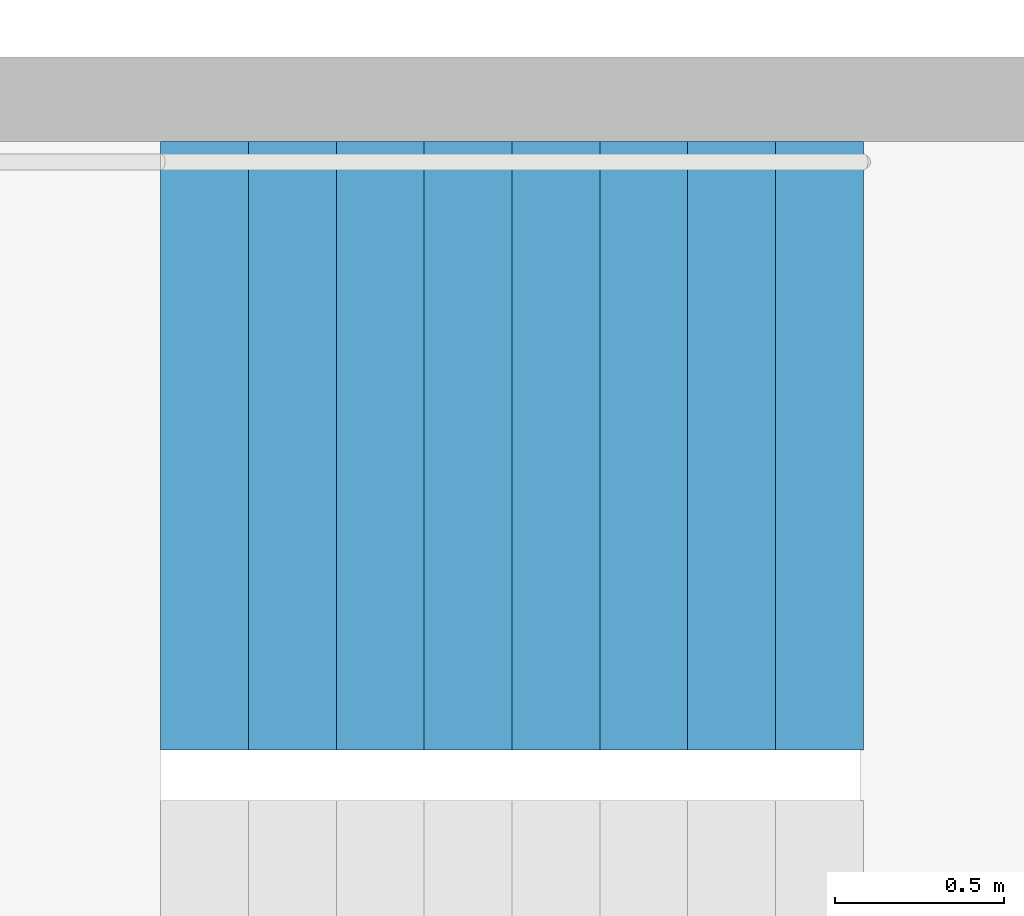
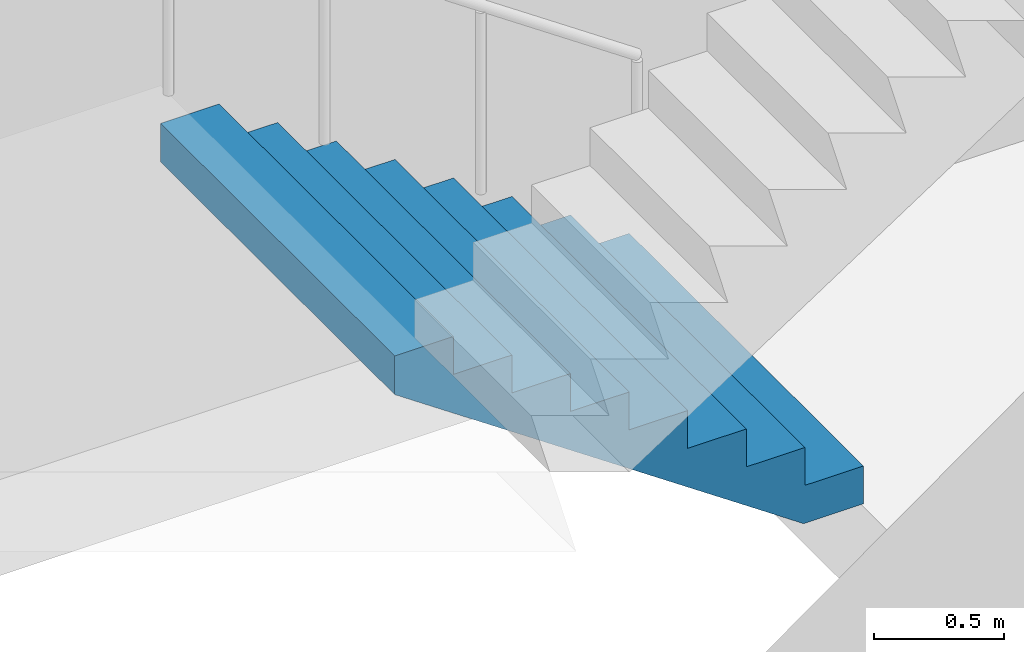
# One storey, part 19 of 26: 1 stair flight, 1 element without a shape of its own.
"""IFC4 building model written with IfcOpenShell, lengths in metres."""

from ifc_helpers import new_model, si_unit, direction, frame, origin, place, context, subcontext, project, spatial, triangles, material, type_object, element, aggregate, save


model = new_model("IFC4")

# Units and contexts
model_context = context("Model", 3, precision=1e-05, world=origin(), true_north=direction((0.0, 1.0)))
body_context = subcontext(model_context, "Body", "Model", "MODEL_VIEW")
ifc_project = project(units=[si_unit("LENGTHUNIT", "METRE"), si_unit("AREAUNIT", "SQUARE_METRE"), si_unit("VOLUMEUNIT", "CUBIC_METRE"), si_unit("PLANEANGLEUNIT", "RADIAN"), si_unit("MASSUNIT", "GRAM", prefix="KILO")], contexts=[model_context])

# Site, building, storey
site_placement = place(None, origin())
site = spatial("IfcSite", under=ifc_project, at=site_placement, CompositionType="ELEMENT")
building_placement = place(site_placement, origin())
building = spatial("IfcBuilding", under=site, at=building_placement, Name="Hakoniwa Tower and Hamabe Station Hall", CompositionType="ELEMENT")
storey_placement = place(building_placement, frame((0.0, 0.0, 196.199951171875)))
storey = spatial("IfcBuildingStorey", under=building, at=storey_placement, Name="L55", CompositionType="ELEMENT", Elevation=196.199951171875)

# Stair, stair flight
ifc_material_1 = material(Name="Concrete C40", Category="concrete")
stair_type = type_object("IfcStairType", Name="ESCAPE STAIR 1800", PredefinedType="HALF_TURN_STAIR", material=ifc_material_1)
stair_placement = place(storey_placement, origin())
stair = element("IfcStair", 1, at=stair_placement, inside=storey, type_object=stair_type, Name="Escape stair ST-2 L55", PredefinedType="HALF_TURN_STAIR")
ifc_material_2 = material(Name="Concrete C40", Category="concrete")
stair_flight_type = type_object("IfcStairFlightType", Name="STAIR FLIGHT 1800", PredefinedType="STRAIGHT", material=ifc_material_2)
stair_flight_placement = place(storey_placement, frame((-23.39990234375, -4.64990234375, 0.0), z_axis=(0.0, 0.0, 1.0), x_axis=(-1.0, 0.0, 0.0)))
stair_flight = element("IfcStairFlight", 2, at=stair_flight_placement, type_object=stair_flight_type, Name="ST-2 flight 1", NumberOfRisers=9, NumberOfTreads=8, PredefinedType="STRAIGHT", RiserHeight=0.177777778, TreadLength=0.26, context=body_context, shape_type="Tessellation", body=[
    triangles([(0.0, 0.89990234375, 0.0), (0.260009765625, 0.89990234375, 0.0), (0.265625, 0.89990234375, 0.0), (0.52001953125, 0.89990234375, 0.174072265625), (0.780029296875, 0.89990234375, 0.351806640625), (1.0400390625, 0.89990234375, 0.529541015625), (1.300048828125, 0.89990234375, 0.707275390625), (1.56005859375, 0.89990234375, 0.885009765625), (1.820068359375, 0.89990234375, 1.062744140625), (2.080078125, 0.89990234375, 1.24072265625), (2.080078125, 0.89990234375, 1.422119140625), (1.820068359375, 0.89990234375, 1.422119140625), (1.820068359375, 0.89990234375, 1.244384765625), (1.56005859375, 0.89990234375, 1.244384765625), (1.56005859375, 0.89990234375, 1.066650390625), (1.300048828125, 0.89990234375, 1.066650390625), (1.300048828125, 0.89990234375, 0.888916015625), (1.0400390625, 0.89990234375, 0.888916015625), (1.0400390625, 0.89990234375, 0.711181640625), (0.780029296875, 0.89990234375, 0.711181640625), (0.780029296875, 0.89990234375, 0.533447265625), (0.52001953125, 0.89990234375, 0.533447265625), (0.52001953125, 0.89990234375, 0.35546875), (0.265625, 0.89990234375, 0.35546875), (0.260009765625, 0.89990234375, 0.35546875), (0.260009765625, 0.89990234375, 0.177734375), (0.0, 0.89990234375, 0.177734375), (0.0, 0.06005859375, 0.0), (0.260009765625, 0.06005859375, 0.0), (0.265625, 0.06005859375, 0.0), (0.52001953125, 0.06005859375, 0.174072265625), (0.780029296875, 0.06005859375, 0.351806640625), (1.0400390625, 0.06005859375, 0.529541015625), (1.300048828125, 0.06005859375, 0.707275390625), (1.56005859375, 0.06005859375, 0.885009765625), (1.820068359375, 0.06005859375, 1.062744140625), (2.080078125, 0.06005859375, 1.24072265625), (2.080078125, 0.06005859375, 1.422119140625), (1.820068359375, 0.06005859375, 1.422119140625), (1.820068359375, 0.06005859375, 1.244384765625), (1.56005859375, 0.06005859375, 1.244384765625), (1.56005859375, 0.06005859375, 1.066650390625), (1.300048828125, 0.06005859375, 1.066650390625), (1.300048828125, 0.06005859375, 0.888916015625), (1.0400390625, 0.06005859375, 0.888916015625), (1.0400390625, 0.06005859375, 0.711181640625), (0.780029296875, 0.06005859375, 0.711181640625), (0.780029296875, 0.06005859375, 0.533447265625), (0.52001953125, 0.06005859375, 0.533447265625), (0.52001953125, 0.06005859375, 0.35546875), (0.265625, 0.06005859375, 0.35546875), (0.260009765625, 0.06005859375, 0.35546875), (0.260009765625, 0.06005859375, 0.177734375), (0.0, 0.06005859375, 0.177734375), (0.0, 0.04296875, 0.0), (0.260009765625, 0.04296875, 0.0), (0.265625, 0.04296875, 0.0), (0.52001953125, 0.04296875, 0.174072265625), (0.780029296875, 0.04296875, 0.351806640625), (1.0400390625, 0.04296875, 0.529541015625), (1.300048828125, 0.04296875, 0.707275390625), (1.56005859375, 0.04296875, 0.885009765625), (1.820068359375, 0.04296875, 1.062744140625), (2.080078125, 0.04296875, 1.24072265625), (2.080078125, 0.04296875, 1.422119140625), (1.820068359375, 0.04296875, 1.422119140625), (1.820068359375, 0.04296875, 1.244384765625), (1.56005859375, 0.04296875, 1.244384765625), (1.56005859375, 0.04296875, 1.066650390625), (1.300048828125, 0.04296875, 1.066650390625), (1.300048828125, 0.04296875, 0.888916015625), (1.0400390625, 0.04296875, 0.888916015625), (1.0400390625, 0.04296875, 0.711181640625), (0.780029296875, 0.04296875, 0.711181640625), (0.780029296875, 0.04296875, 0.533447265625), (0.52001953125, 0.04296875, 0.533447265625), (0.52001953125, 0.04296875, 0.35546875), (0.265625, 0.04296875, 0.35546875), (0.260009765625, 0.04296875, 0.35546875), (0.260009765625, 0.04296875, 0.177734375), (0.0, 0.04296875, 0.177734375), (0.0, 0.025634765625, 0.0), (0.260009765625, 0.025634765625, 0.0), (0.265625, 0.025634765625, 0.0), (0.52001953125, 0.025634765625, 0.174072265625), (0.780029296875, 0.025634765625, 0.351806640625), (1.0400390625, 0.025634765625, 0.529541015625), (1.300048828125, 0.025634765625, 0.707275390625), (1.56005859375, 0.025634765625, 0.885009765625), (1.820068359375, 0.025634765625, 1.062744140625), (2.080078125, 0.025634765625, 1.24072265625), (2.080078125, 0.025634765625, 1.422119140625), (1.820068359375, 0.025634765625, 1.422119140625), (1.820068359375, 0.025634765625, 1.244384765625), (1.56005859375, 0.025634765625, 1.244384765625), (1.56005859375, 0.025634765625, 1.066650390625), (1.300048828125, 0.025634765625, 1.066650390625), (1.300048828125, 0.025634765625, 0.888916015625), (1.0400390625, 0.025634765625, 0.888916015625), (1.0400390625, 0.025634765625, 0.711181640625), (0.780029296875, 0.025634765625, 0.711181640625), (0.780029296875, 0.025634765625, 0.533447265625), (0.52001953125, 0.025634765625, 0.533447265625), (0.52001953125, 0.025634765625, 0.35546875), (0.265625, 0.025634765625, 0.35546875), (0.260009765625, 0.025634765625, 0.35546875), (0.260009765625, 0.025634765625, 0.177734375), (0.0, 0.025634765625, 0.177734375), (0.0, 0.008544921875, 0.0), (0.260009765625, 0.008544921875, 0.0), (0.265625, 0.008544921875, 0.0), (0.52001953125, 0.008544921875, 0.174072265625), (0.780029296875, 0.008544921875, 0.351806640625), (1.0400390625, 0.008544921875, 0.529541015625), (1.300048828125, 0.008544921875, 0.707275390625), (1.56005859375, 0.008544921875, 0.885009765625), (1.820068359375, 0.008544921875, 1.062744140625), (2.080078125, 0.008544921875, 1.24072265625), (2.080078125, 0.008544921875, 1.422119140625), (1.820068359375, 0.008544921875, 1.422119140625), (1.820068359375, 0.008544921875, 1.244384765625), (1.56005859375, 0.008544921875, 1.244384765625), (1.56005859375, 0.008544921875, 1.066650390625), (1.300048828125, 0.008544921875, 1.066650390625), (1.300048828125, 0.008544921875, 0.888916015625), (1.0400390625, 0.008544921875, 0.888916015625), (1.0400390625, 0.008544921875, 0.711181640625), (0.780029296875, 0.008544921875, 0.711181640625), (0.780029296875, 0.008544921875, 0.533447265625), (0.52001953125, 0.008544921875, 0.533447265625), (0.52001953125, 0.008544921875, 0.35546875), (0.265625, 0.008544921875, 0.35546875), (0.260009765625, 0.008544921875, 0.35546875), (0.260009765625, 0.008544921875, 0.177734375), (0.0, 0.008544921875, 0.177734375), (0.0, -0.008544921875, 0.0), (0.260009765625, -0.008544921875, 0.0), (0.265625, -0.008544921875, 0.0), (0.52001953125, -0.008544921875, 0.174072265625), (0.780029296875, -0.008544921875, 0.351806640625), (1.0400390625, -0.008544921875, 0.529541015625), (1.300048828125, -0.008544921875, 0.707275390625), (1.56005859375, -0.008544921875, 0.885009765625), (1.820068359375, -0.008544921875, 1.062744140625), (2.080078125, -0.008544921875, 1.24072265625), (2.080078125, -0.008544921875, 1.422119140625), (1.820068359375, -0.008544921875, 1.422119140625), (1.820068359375, -0.008544921875, 1.244384765625), (1.56005859375, -0.008544921875, 1.244384765625), (1.56005859375, -0.008544921875, 1.066650390625), (1.300048828125, -0.008544921875, 1.066650390625), (1.300048828125, -0.008544921875, 0.888916015625), (1.0400390625, -0.008544921875, 0.888916015625), (1.0400390625, -0.008544921875, 0.711181640625), (0.780029296875, -0.008544921875, 0.711181640625), (0.780029296875, -0.008544921875, 0.533447265625), (0.52001953125, -0.008544921875, 0.533447265625), (0.52001953125, -0.008544921875, 0.35546875), (0.265625, -0.008544921875, 0.35546875), (0.260009765625, -0.008544921875, 0.35546875), (0.260009765625, -0.008544921875, 0.177734375), (0.0, -0.008544921875, 0.177734375), (0.0, -0.025634765625, 0.0), (0.260009765625, -0.025634765625, 0.0), (0.265625, -0.025634765625, 0.0), (0.52001953125, -0.025634765625, 0.174072265625), (0.780029296875, -0.025634765625, 0.351806640625), (1.0400390625, -0.025634765625, 0.529541015625), (1.300048828125, -0.025634765625, 0.707275390625), (1.56005859375, -0.025634765625, 0.885009765625), (1.820068359375, -0.025634765625, 1.062744140625), (2.080078125, -0.025634765625, 1.24072265625), (2.080078125, -0.025634765625, 1.422119140625), (1.820068359375, -0.025634765625, 1.422119140625), (1.820068359375, -0.025634765625, 1.244384765625), (1.56005859375, -0.025634765625, 1.244384765625), (1.56005859375, -0.025634765625, 1.066650390625), (1.300048828125, -0.025634765625, 1.066650390625), (1.300048828125, -0.025634765625, 0.888916015625), (1.0400390625, -0.025634765625, 0.888916015625), (1.0400390625, -0.025634765625, 0.711181640625), (0.780029296875, -0.025634765625, 0.711181640625), (0.780029296875, -0.025634765625, 0.533447265625), (0.52001953125, -0.025634765625, 0.533447265625), (0.52001953125, -0.025634765625, 0.35546875), (0.265625, -0.025634765625, 0.35546875), (0.260009765625, -0.025634765625, 0.35546875), (0.260009765625, -0.025634765625, 0.177734375), (0.0, -0.025634765625, 0.177734375), (0.0, -0.04296875, 0.0), (0.260009765625, -0.04296875, 0.0), (0.265625, -0.04296875, 0.0), (0.52001953125, -0.04296875, 0.174072265625), (0.780029296875, -0.04296875, 0.351806640625), (1.0400390625, -0.04296875, 0.529541015625), (1.300048828125, -0.04296875, 0.707275390625), (1.56005859375, -0.04296875, 0.885009765625), (1.820068359375, -0.04296875, 1.062744140625), (2.080078125, -0.04296875, 1.24072265625), (2.080078125, -0.04296875, 1.422119140625), (1.820068359375, -0.04296875, 1.422119140625), (1.820068359375, -0.04296875, 1.244384765625), (1.56005859375, -0.04296875, 1.244384765625), (1.56005859375, -0.04296875, 1.066650390625), (1.300048828125, -0.04296875, 1.066650390625), (1.300048828125, -0.04296875, 0.888916015625), (1.0400390625, -0.04296875, 0.888916015625), (1.0400390625, -0.04296875, 0.711181640625), (0.780029296875, -0.04296875, 0.711181640625), (0.780029296875, -0.04296875, 0.533447265625), (0.52001953125, -0.04296875, 0.533447265625), (0.52001953125, -0.04296875, 0.35546875), (0.265625, -0.04296875, 0.35546875), (0.260009765625, -0.04296875, 0.35546875), (0.260009765625, -0.04296875, 0.177734375), (0.0, -0.04296875, 0.177734375), (0.0, -0.06005859375, 0.0), (0.260009765625, -0.06005859375, 0.0), (0.265625, -0.06005859375, 0.0), (0.52001953125, -0.06005859375, 0.174072265625), (0.780029296875, -0.06005859375, 0.351806640625), (1.0400390625, -0.06005859375, 0.529541015625), (1.300048828125, -0.06005859375, 0.707275390625), (1.56005859375, -0.06005859375, 0.885009765625), (1.820068359375, -0.06005859375, 1.062744140625), (2.080078125, -0.06005859375, 1.24072265625), (2.080078125, -0.06005859375, 1.422119140625), (1.820068359375, -0.06005859375, 1.422119140625), (1.820068359375, -0.06005859375, 1.244384765625), (1.56005859375, -0.06005859375, 1.244384765625), (1.56005859375, -0.06005859375, 1.066650390625), (1.300048828125, -0.06005859375, 1.066650390625), (1.300048828125, -0.06005859375, 0.888916015625), (1.0400390625, -0.06005859375, 0.888916015625), (1.0400390625, -0.06005859375, 0.711181640625), (0.780029296875, -0.06005859375, 0.711181640625), (0.780029296875, -0.06005859375, 0.533447265625), (0.52001953125, -0.06005859375, 0.533447265625), (0.52001953125, -0.06005859375, 0.35546875), (0.265625, -0.06005859375, 0.35546875), (0.260009765625, -0.06005859375, 0.35546875), (0.260009765625, -0.06005859375, 0.177734375), (0.0, -0.06005859375, 0.177734375), (0.0, -0.89990234375, 0.0), (0.260009765625, -0.89990234375, 0.0), (0.265625, -0.89990234375, 0.0), (0.52001953125, -0.89990234375, 0.174072265625), (0.780029296875, -0.89990234375, 0.351806640625), (1.0400390625, -0.89990234375, 0.529541015625), (1.300048828125, -0.89990234375, 0.707275390625), (1.56005859375, -0.89990234375, 0.885009765625), (1.820068359375, -0.89990234375, 1.062744140625), (2.080078125, -0.89990234375, 1.24072265625), (2.080078125, -0.89990234375, 1.422119140625), (1.820068359375, -0.89990234375, 1.422119140625), (1.820068359375, -0.89990234375, 1.244384765625), (1.56005859375, -0.89990234375, 1.244384765625), (1.56005859375, -0.89990234375, 1.066650390625), (1.300048828125, -0.89990234375, 1.066650390625), (1.300048828125, -0.89990234375, 0.888916015625), (1.0400390625, -0.89990234375, 0.888916015625), (1.0400390625, -0.89990234375, 0.711181640625), (0.780029296875, -0.89990234375, 0.711181640625), (0.780029296875, -0.89990234375, 0.533447265625), (0.52001953125, -0.89990234375, 0.533447265625), (0.52001953125, -0.89990234375, 0.35546875), (0.265625, -0.89990234375, 0.35546875), (0.260009765625, -0.89990234375, 0.35546875), (0.260009765625, -0.89990234375, 0.177734375), (0.0, -0.89990234375, 0.177734375)], [[2, 27, 26], [245, 269, 270], [2, 1, 27], [245, 270, 244], [3, 25, 24], [246, 267, 268], [3, 26, 25], [246, 268, 269], [3, 2, 26], [246, 269, 245], [4, 24, 23], [247, 266, 267], [4, 3, 24], [247, 267, 246], [5, 22, 21], [248, 264, 265], [5, 23, 22], [248, 265, 266], [5, 4, 23], [248, 266, 247], [6, 20, 19], [249, 262, 263], [6, 21, 20], [249, 263, 264], [6, 5, 21], [249, 264, 248], [7, 18, 17], [250, 260, 261], [7, 19, 18], [250, 261, 262], [7, 6, 19], [250, 262, 249], [8, 16, 15], [251, 258, 259], [8, 17, 16], [251, 259, 260], [8, 7, 17], [251, 260, 250], [9, 14, 13], [252, 256, 257], [9, 15, 14], [252, 257, 258], [9, 8, 15], [252, 258, 251], [10, 12, 11], [253, 254, 255], [10, 13, 12], [253, 255, 256], [10, 9, 13], [253, 256, 252], [1, 2, 29], [1, 29, 28], [28, 29, 56], [28, 56, 55], [55, 56, 83], [55, 83, 82], [82, 83, 110], [82, 110, 109], [109, 110, 137], [109, 137, 136], [136, 137, 164], [136, 164, 163], [163, 164, 191], [163, 191, 190], [190, 191, 218], [190, 218, 217], [217, 218, 245], [217, 245, 244], [2, 3, 30], [2, 30, 29], [29, 30, 57], [29, 57, 56], [56, 57, 84], [56, 84, 83], [83, 84, 111], [83, 111, 110], [110, 111, 138], [110, 138, 137], [137, 138, 165], [137, 165, 164], [164, 165, 192], [164, 192, 191], [191, 192, 219], [191, 219, 218], [218, 219, 246], [218, 246, 245], [3, 4, 31], [3, 31, 30], [30, 31, 58], [30, 58, 57], [57, 58, 85], [57, 85, 84], [84, 85, 112], [84, 112, 111], [111, 112, 139], [111, 139, 138], [138, 139, 166], [138, 166, 165], [165, 166, 193], [165, 193, 192], [192, 193, 220], [192, 220, 219], [219, 220, 247], [219, 247, 246], [4, 5, 32], [4, 32, 31], [31, 32, 59], [31, 59, 58], [58, 59, 86], [58, 86, 85], [85, 86, 113], [85, 113, 112], [112, 113, 140], [112, 140, 139], [139, 140, 167], [139, 167, 166], [166, 167, 194], [166, 194, 193], [193, 194, 221], [193, 221, 220], [220, 221, 248], [220, 248, 247], [5, 6, 33], [5, 33, 32], [32, 33, 60], [32, 60, 59], [59, 60, 87], [59, 87, 86], [86, 87, 114], [86, 114, 113], [113, 114, 141], [113, 141, 140], [140, 141, 168], [140, 168, 167], [167, 168, 195], [167, 195, 194], [194, 195, 222], [194, 222, 221], [221, 222, 249], [221, 249, 248], [6, 7, 34], [6, 34, 33], [33, 34, 61], [33, 61, 60], [60, 61, 88], [60, 88, 87], [87, 88, 115], [87, 115, 114], [114, 115, 142], [114, 142, 141], [141, 142, 169], [141, 169, 168], [168, 169, 196], [168, 196, 195], [195, 196, 223], [195, 223, 222], [222, 223, 250], [222, 250, 249], [7, 8, 35], [7, 35, 34], [34, 35, 62], [34, 62, 61], [61, 62, 89], [61, 89, 88], [88, 89, 116], [88, 116, 115], [115, 116, 143], [115, 143, 142], [142, 143, 170], [142, 170, 169], [169, 170, 197], [169, 197, 196], [196, 197, 224], [196, 224, 223], [223, 224, 251], [223, 251, 250], [8, 9, 36], [8, 36, 35], [35, 36, 63], [35, 63, 62], [62, 63, 90], [62, 90, 89], [89, 90, 117], [89, 117, 116], [116, 117, 144], [116, 144, 143], [143, 144, 171], [143, 171, 170], [170, 171, 198], [170, 198, 197], [197, 198, 225], [197, 225, 224], [224, 225, 252], [224, 252, 251], [9, 10, 37], [9, 37, 36], [36, 37, 64], [36, 64, 63], [63, 64, 91], [63, 91, 90], [90, 91, 118], [90, 118, 117], [117, 118, 145], [117, 145, 144], [144, 145, 172], [144, 172, 171], [171, 172, 199], [171, 199, 198], [198, 199, 226], [198, 226, 225], [225, 226, 253], [225, 253, 252], [10, 11, 38], [10, 38, 37], [37, 38, 65], [37, 65, 64], [64, 65, 92], [64, 92, 91], [91, 92, 119], [91, 119, 118], [118, 119, 146], [118, 146, 145], [145, 146, 173], [145, 173, 172], [172, 173, 200], [172, 200, 199], [199, 200, 227], [199, 227, 226], [226, 227, 254], [226, 254, 253], [11, 12, 39], [11, 39, 38], [38, 39, 66], [38, 66, 65], [65, 66, 93], [65, 93, 92], [92, 93, 120], [92, 120, 119], [119, 120, 147], [119, 147, 146], [146, 147, 174], [146, 174, 173], [173, 174, 201], [173, 201, 200], [200, 201, 228], [200, 228, 227], [227, 228, 255], [227, 255, 254], [12, 13, 40], [12, 40, 39], [39, 40, 67], [39, 67, 66], [66, 67, 94], [66, 94, 93], [93, 94, 121], [93, 121, 120], [120, 121, 148], [120, 148, 147], [147, 148, 175], [147, 175, 174], [174, 175, 202], [174, 202, 201], [201, 202, 229], [201, 229, 228], [228, 229, 256], [228, 256, 255], [13, 14, 41], [13, 41, 40], [40, 41, 68], [40, 68, 67], [67, 68, 95], [67, 95, 94], [94, 95, 122], [94, 122, 121], [121, 122, 149], [121, 149, 148], [148, 149, 176], [148, 176, 175], [175, 176, 203], [175, 203, 202], [202, 203, 230], [202, 230, 229], [229, 230, 257], [229, 257, 256], [14, 15, 42], [14, 42, 41], [41, 42, 69], [41, 69, 68], [68, 69, 96], [68, 96, 95], [95, 96, 123], [95, 123, 122], [122, 123, 150], [122, 150, 149], [149, 150, 177], [149, 177, 176], [176, 177, 204], [176, 204, 203], [203, 204, 231], [203, 231, 230], [230, 231, 258], [230, 258, 257], [15, 16, 43], [15, 43, 42], [42, 43, 70], [42, 70, 69], [69, 70, 97], [69, 97, 96], [96, 97, 124], [96, 124, 123], [123, 124, 151], [123, 151, 150], [150, 151, 178], [150, 178, 177], [177, 178, 205], [177, 205, 204], [204, 205, 232], [204, 232, 231], [231, 232, 259], [231, 259, 258], [16, 17, 44], [16, 44, 43], [43, 44, 71], [43, 71, 70], [70, 71, 98], [70, 98, 97], [97, 98, 125], [97, 125, 124], [124, 125, 152], [124, 152, 151], [151, 152, 179], [151, 179, 178], [178, 179, 206], [178, 206, 205], [205, 206, 233], [205, 233, 232], [232, 233, 260], [232, 260, 259], [17, 18, 45], [17, 45, 44], [44, 45, 72], [44, 72, 71], [71, 72, 99], [71, 99, 98], [98, 99, 126], [98, 126, 125], [125, 126, 153], [125, 153, 152], [152, 153, 180], [152, 180, 179], [179, 180, 207], [179, 207, 206], [206, 207, 234], [206, 234, 233], [233, 234, 261], [233, 261, 260], [18, 19, 46], [18, 46, 45], [45, 46, 73], [45, 73, 72], [72, 73, 100], [72, 100, 99], [99, 100, 127], [99, 127, 126], [126, 127, 154], [126, 154, 153], [153, 154, 181], [153, 181, 180], [180, 181, 208], [180, 208, 207], [207, 208, 235], [207, 235, 234], [234, 235, 262], [234, 262, 261], [19, 20, 47], [19, 47, 46], [46, 47, 74], [46, 74, 73], [73, 74, 101], [73, 101, 100], [100, 101, 128], [100, 128, 127], [127, 128, 155], [127, 155, 154], [154, 155, 182], [154, 182, 181], [181, 182, 209], [181, 209, 208], [208, 209, 236], [208, 236, 235], [235, 236, 263], [235, 263, 262], [20, 21, 48], [20, 48, 47], [47, 48, 75], [47, 75, 74], [74, 75, 102], [74, 102, 101], [101, 102, 129], [101, 129, 128], [128, 129, 156], [128, 156, 155], [155, 156, 183], [155, 183, 182], [182, 183, 210], [182, 210, 209], [209, 210, 237], [209, 237, 236], [236, 237, 264], [236, 264, 263], [21, 22, 49], [21, 49, 48], [48, 49, 76], [48, 76, 75], [75, 76, 103], [75, 103, 102], [102, 103, 130], [102, 130, 129], [129, 130, 157], [129, 157, 156], [156, 157, 184], [156, 184, 183], [183, 184, 211], [183, 211, 210], [210, 211, 238], [210, 238, 237], [237, 238, 265], [237, 265, 264], [22, 23, 50], [22, 50, 49], [49, 50, 77], [49, 77, 76], [76, 77, 104], [76, 104, 103], [103, 104, 131], [103, 131, 130], [130, 131, 158], [130, 158, 157], [157, 158, 185], [157, 185, 184], [184, 185, 212], [184, 212, 211], [211, 212, 239], [211, 239, 238], [238, 239, 266], [238, 266, 265], [23, 24, 51], [23, 51, 50], [50, 51, 78], [50, 78, 77], [77, 78, 105], [77, 105, 104], [104, 105, 132], [104, 132, 131], [131, 132, 159], [131, 159, 158], [158, 159, 186], [158, 186, 185], [185, 186, 213], [185, 213, 212], [212, 213, 240], [212, 240, 239], [239, 240, 267], [239, 267, 266], [24, 25, 52], [24, 52, 51], [51, 52, 79], [51, 79, 78], [78, 79, 106], [78, 106, 105], [105, 106, 133], [105, 133, 132], [132, 133, 160], [132, 160, 159], [159, 160, 187], [159, 187, 186], [186, 187, 214], [186, 214, 213], [213, 214, 241], [213, 241, 240], [240, 241, 268], [240, 268, 267], [25, 26, 53], [25, 53, 52], [52, 53, 80], [52, 80, 79], [79, 80, 107], [79, 107, 106], [106, 107, 134], [106, 134, 133], [133, 134, 161], [133, 161, 160], [160, 161, 188], [160, 188, 187], [187, 188, 215], [187, 215, 214], [214, 215, 242], [214, 242, 241], [241, 242, 269], [241, 269, 268], [26, 27, 54], [26, 54, 53], [53, 54, 81], [53, 81, 80], [80, 81, 108], [80, 108, 107], [107, 108, 135], [107, 135, 134], [134, 135, 162], [134, 162, 161], [161, 162, 189], [161, 189, 188], [188, 189, 216], [188, 216, 215], [215, 216, 243], [215, 243, 242], [242, 243, 270], [242, 270, 269], [27, 1, 28], [27, 28, 54], [54, 28, 55], [54, 55, 81], [81, 55, 82], [81, 82, 108], [108, 82, 109], [108, 109, 135], [135, 109, 136], [135, 136, 162], [162, 136, 163], [162, 163, 189], [189, 163, 190], [189, 190, 216], [216, 190, 217], [216, 217, 243], [243, 217, 244], [243, 244, 270]], closed=True),
])
aggregate(stair, [stair_flight])

save(model, "model.ifc")
